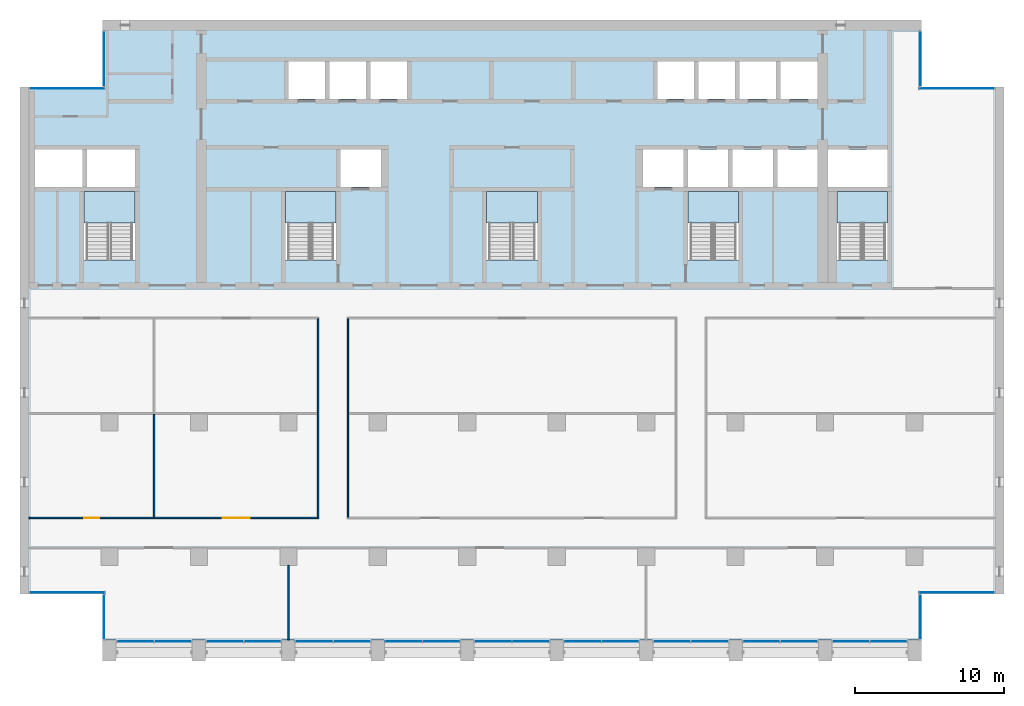
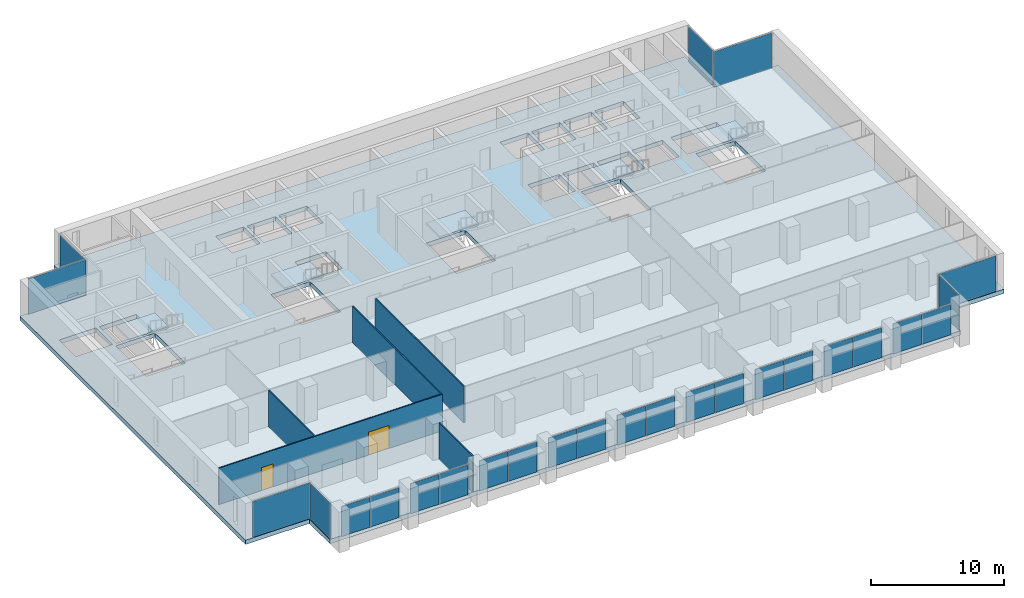
# One storey, part 7 of 16: 26 plates, 6 slabs, 5 walls, 2 doors, 2 openings, 22 elements without a shape of their own.
"""IFC4 building model written with IfcOpenShell, lengths in metres."""

from ifc_helpers import new_model, si_unit, direction, frame, frame_2d, origin, origin_2d, place, context, subcontext, project, spatial, polyline, rectangle, outline, extrude, material, layer, layer_set, type_object, element, fill, aggregate, save


model = new_model("IFC4")

# Units and contexts
model_context = context("Model", 3, precision=1e-05, world=origin(), true_north=direction((0.0, 1.0)))
body_context = subcontext(model_context, "Body", "Model", "MODEL_VIEW")
ifc_project = project(units=[si_unit("LENGTHUNIT", "METRE"), si_unit("AREAUNIT", "SQUARE_METRE"), si_unit("VOLUMEUNIT", "CUBIC_METRE"), si_unit("PLANEANGLEUNIT", "RADIAN"), si_unit("MASSUNIT", "GRAM", prefix="KILO")], contexts=[model_context])

# Site, building, storey
site_placement = place(None, origin())
site = spatial("IfcSite", under=ifc_project, at=site_placement, CompositionType="ELEMENT")
building_placement = place(site_placement, origin())
building = spatial("IfcBuilding", under=site, at=building_placement, Name="Calvaro Tower", CompositionType="ELEMENT")
storey_placement = place(building_placement, frame((0.0, 0.0, 181.75)))
storey = spatial("IfcBuildingStorey", under=building, at=storey_placement, Name="L45", CompositionType="ELEMENT", Elevation=181.75)

# Slab
ifc_material_1 = material(Name="Concrete C40/50", Category="concrete")
ifc_layer_1 = layer(ifc_material_1, 0.39990234375)
ifc_layer_set_1 = layer_set([ifc_layer_1], Name="Concrete C40/50")
slab_type_1 = type_object("IfcSlabType", Name="Floor slab 400 C40/50", PredefinedType="FLOOR", material=ifc_layer_set_1)
slab_1_placement = place(storey_placement, frame((0.0, 0.0, -0.39990234375)))
element("IfcSlab", 1, at=slab_1_placement, inside=storey, type_object=slab_type_1, Name="Floor slab", PredefinedType="FLOOR", context=body_context, shape_type="SweptSolid", body=[
    extrude(outline(polyline([(66.449951171875, 7.5), (66.449951171875, 4.39990234375), (11.550048828125, 4.39990234375), (11.550048828125, 7.5), (6.0, 7.5), (6.0, 41.5), (11.550048828125, 41.5), (11.550048828125, 46.0), (66.449951171875, 46.0), (66.449951171875, 41.5), (72.0, 41.5), (72.0, 7.5), (66.449951171875, 7.5)]), holes=[polyline([(10.300048828125, 29.909912109375), (10.300048828125, 34.5), (12.0, 34.5), (13.699951171875, 34.5), (13.699951171875, 29.909912109375), (12.0, 29.909912109375), (10.300048828125, 29.909912109375)]), polyline([(23.800048828125, 29.909912109375), (23.800048828125, 34.5), (25.5, 34.5), (27.199951171875, 34.5), (27.199951171875, 29.909912109375), (25.5, 29.909912109375), (23.800048828125, 29.909912109375)]), polyline([(37.300048828125, 29.909912109375), (37.300048828125, 34.5), (39.0, 34.5), (40.699951171875, 34.5), (40.699951171875, 29.909912109375), (39.0, 29.909912109375), (37.300048828125, 29.909912109375)]), polyline([(50.800048828125, 29.909912109375), (50.800048828125, 34.5), (52.5, 34.5), (54.199951171875, 34.5), (54.199951171875, 29.909912109375), (52.5, 29.909912109375), (50.800048828125, 29.909912109375)]), polyline([(60.800048828125, 29.909912109375), (60.800048828125, 34.5), (62.5, 34.5), (64.199951171875, 34.5), (64.199951171875, 29.909912109375), (62.5, 29.909912109375), (60.800048828125, 29.909912109375)]), polyline([(50.800048828125, 34.800048828125), (53.5, 34.800048828125), (53.5, 37.300048828125), (50.800048828125, 37.300048828125), (50.800048828125, 34.800048828125)]), polyline([(53.800048828125, 34.800048828125), (56.5, 34.800048828125), (56.5, 37.300048828125), (53.800048828125, 37.300048828125), (53.800048828125, 34.800048828125)]), polyline([(56.800048828125, 34.800048828125), (59.5, 34.800048828125), (59.5, 37.300048828125), (56.800048828125, 37.300048828125), (56.800048828125, 34.800048828125)]), polyline([(24.0, 40.699951171875), (26.449951171875, 40.699951171875), (26.449951171875, 43.199951171875), (24.0, 43.199951171875), (24.0, 40.699951171875)]), polyline([(26.75, 40.699951171875), (29.199951171875, 40.699951171875), (29.199951171875, 43.199951171875), (26.75, 43.199951171875), (26.75, 40.699951171875)]), polyline([(29.5, 40.699951171875), (31.949951171875, 40.699951171875), (31.949951171875, 43.199951171875), (29.5, 43.199951171875), (29.5, 40.699951171875)]), polyline([(48.75, 40.699951171875), (51.199951171875, 40.699951171875), (51.199951171875, 43.199951171875), (48.75, 43.199951171875), (48.75, 40.699951171875)]), polyline([(51.5, 40.699951171875), (53.949951171875, 40.699951171875), (53.949951171875, 43.199951171875), (51.5, 43.199951171875), (51.5, 40.699951171875)]), polyline([(54.25, 40.699951171875), (56.699951171875, 40.699951171875), (56.699951171875, 43.199951171875), (54.25, 43.199951171875), (54.25, 40.699951171875)]), polyline([(57.0, 40.699951171875), (59.5, 40.699951171875), (59.5, 43.199951171875), (57.0, 43.199951171875), (57.0, 40.699951171875)]), polyline([(7.0, 34.800048828125), (10.199951171875, 34.800048828125), (10.199951171875, 37.300048828125), (7.0, 37.300048828125), (7.0, 34.800048828125)]), polyline([(10.5, 34.800048828125), (13.699951171875, 34.800048828125), (13.699951171875, 37.300048828125), (10.5, 37.300048828125), (10.5, 34.800048828125)]), polyline([(60.199951171875, 34.800048828125), (64.199951171875, 34.800048828125), (64.199951171875, 37.300048828125), (60.199951171875, 37.300048828125), (60.199951171875, 34.800048828125)]), polyline([(27.5, 34.800048828125), (30.199951171875, 34.800048828125), (30.199951171875, 37.300048828125), (27.5, 37.300048828125), (27.5, 34.800048828125)]), polyline([(47.800048828125, 34.800048828125), (50.5, 34.800048828125), (50.5, 37.300048828125), (47.800048828125, 37.300048828125), (47.800048828125, 34.800048828125)])]), origin(), (0.0, 0.0, 1.0), 0.39990234375),
])

# Curtain wall, plates
ifc_material_2 = material(Name="Anodised aluminium", Category="aluminium")
curtain_wall_type = type_object("IfcCurtainWallType", Name="Office curtain wall, upper zone", PredefinedType="NOTDEFINED", material=ifc_material_2)
curtain_wall_1_placement = place(storey_placement, origin())
curtain_wall_1 = element("IfcCurtainWall", 2, at=curtain_wall_1_placement, inside=storey, type_object=curtain_wall_type, Name="CW3 south curtain wall", PredefinedType="NOTDEFINED")
ifc_material_3 = material(Name="Glass", Category="glass")
ifc_layer_2 = layer(ifc_material_3, 0.035888671875)
ifc_layer_set_2 = layer_set([ifc_layer_2], Name="Glass")
plate_type = type_object("IfcPlateType", Name="Glass panel S3 36", PredefinedType="CURTAIN_PANEL", material=ifc_layer_set_2)
plate_1_placement = place(storey_placement, frame((13.739990234375, 4.31005859375, 0.0), z_axis=(0.0, 0.0, 1.0), x_axis=(1.0, 0.0, 0.0)))
plate_1 = element("IfcPlate", 3, at=plate_1_placement, type_object=plate_type, Name="CW3 glass panel 1.1", PredefinedType="CURTAIN_PANEL", context=body_context, shape_type="SweptSolid", body=[
    extrude(rectangle(XDim=2.4599609375, YDim=0.035888671875, at=origin_2d()), origin(), (0.0, 0.0, 1.0), 2.75),
])
plate_2_placement = place(storey_placement, frame((16.260009765625, 4.31005859375, 0.0), z_axis=(0.0, 0.0, 1.0), x_axis=(1.0, 0.0, 0.0)))
plate_2 = element("IfcPlate", 4, at=plate_2_placement, type_object=plate_type, Name="CW3 glass panel 2.1", PredefinedType="CURTAIN_PANEL", context=body_context, shape_type="SweptSolid", body=[
    extrude(rectangle(XDim=2.4599609375, YDim=0.035888671875, at=origin_2d()), origin(), (0.0, 0.0, 1.0), 2.75),
])
aggregate(curtain_wall_1, [plate_1, plate_2])

curtain_wall_2_placement = place(storey_placement, origin())
curtain_wall_2 = element("IfcCurtainWall", 5, at=curtain_wall_2_placement, inside=storey, type_object=curtain_wall_type, Name="CW3 south curtain wall", PredefinedType="NOTDEFINED")
plate_3_placement = place(storey_placement, frame((19.739990234375, 4.31005859375, 0.0), z_axis=(0.0, 0.0, 1.0), x_axis=(1.0, 0.0, 0.0)))
plate_3 = element("IfcPlate", 6, at=plate_3_placement, type_object=plate_type, Name="CW3 glass panel 1.1", PredefinedType="CURTAIN_PANEL", context=body_context, shape_type="SweptSolid", body=[
    extrude(rectangle(XDim=2.4599609375, YDim=0.035888671875, at=origin_2d()), origin(), (0.0, 0.0, 1.0), 2.75),
])
plate_4_placement = place(storey_placement, frame((22.260009765625, 4.31005859375, 0.0), z_axis=(0.0, 0.0, 1.0), x_axis=(1.0, 0.0, 0.0)))
plate_4 = element("IfcPlate", 7, at=plate_4_placement, type_object=plate_type, Name="CW3 glass panel 2.1", PredefinedType="CURTAIN_PANEL", context=body_context, shape_type="SweptSolid", body=[
    extrude(rectangle(XDim=2.4599609375, YDim=0.035888671875, at=origin_2d()), origin(), (0.0, 0.0, 1.0), 2.75),
])
aggregate(curtain_wall_2, [plate_3, plate_4])

curtain_wall_3_placement = place(storey_placement, origin())
curtain_wall_3 = element("IfcCurtainWall", 8, at=curtain_wall_3_placement, inside=storey, type_object=curtain_wall_type, Name="CW3 south curtain wall", PredefinedType="NOTDEFINED")
plate_5_placement = place(storey_placement, frame((25.739990234375, 4.31005859375, 0.0), z_axis=(0.0, 0.0, 1.0), x_axis=(1.0, 0.0, 0.0)))
plate_5 = element("IfcPlate", 9, at=plate_5_placement, type_object=plate_type, Name="CW3 glass panel 1.1", PredefinedType="CURTAIN_PANEL", context=body_context, shape_type="SweptSolid", body=[
    extrude(rectangle(XDim=2.4599609375, YDim=0.035888671875, at=origin_2d()), origin(), (0.0, 0.0, 1.0), 2.75),
])
plate_6_placement = place(storey_placement, frame((28.260009765625, 4.31005859375, 0.0), z_axis=(0.0, 0.0, 1.0), x_axis=(1.0, 0.0, 0.0)))
plate_6 = element("IfcPlate", 10, at=plate_6_placement, type_object=plate_type, Name="CW3 glass panel 2.1", PredefinedType="CURTAIN_PANEL", context=body_context, shape_type="SweptSolid", body=[
    extrude(rectangle(XDim=2.4599609375, YDim=0.035888671875, at=origin_2d()), origin(), (0.0, 0.0, 1.0), 2.75),
])
aggregate(curtain_wall_3, [plate_5, plate_6])

curtain_wall_4_placement = place(storey_placement, origin())
curtain_wall_4 = element("IfcCurtainWall", 11, at=curtain_wall_4_placement, inside=storey, type_object=curtain_wall_type, Name="CW3 south curtain wall", PredefinedType="NOTDEFINED")
plate_7_placement = place(storey_placement, frame((31.739990234375, 4.31005859375, 0.0), z_axis=(0.0, 0.0, 1.0), x_axis=(1.0, 0.0, 0.0)))
plate_7 = element("IfcPlate", 12, at=plate_7_placement, type_object=plate_type, Name="CW3 glass panel 1.1", PredefinedType="CURTAIN_PANEL", context=body_context, shape_type="SweptSolid", body=[
    extrude(rectangle(XDim=2.4599609375, YDim=0.035888671875, at=origin_2d()), origin(), (0.0, 0.0, 1.0), 2.75),
])
plate_8_placement = place(storey_placement, frame((34.260009765625, 4.31005859375, 0.0), z_axis=(0.0, 0.0, 1.0), x_axis=(1.0, 0.0, 0.0)))
plate_8 = element("IfcPlate", 13, at=plate_8_placement, type_object=plate_type, Name="CW3 glass panel 2.1", PredefinedType="CURTAIN_PANEL", context=body_context, shape_type="SweptSolid", body=[
    extrude(rectangle(XDim=2.4599609375, YDim=0.035888671875, at=origin_2d()), origin(), (0.0, 0.0, 1.0), 2.75),
])
aggregate(curtain_wall_4, [plate_7, plate_8])

curtain_wall_5_placement = place(storey_placement, origin())
curtain_wall_5 = element("IfcCurtainWall", 14, at=curtain_wall_5_placement, inside=storey, type_object=curtain_wall_type, Name="CW3 south curtain wall", PredefinedType="NOTDEFINED")
plate_9_placement = place(storey_placement, frame((37.739990234375, 4.31005859375, 0.0), z_axis=(0.0, 0.0, 1.0), x_axis=(1.0, 0.0, 0.0)))
plate_9 = element("IfcPlate", 15, at=plate_9_placement, type_object=plate_type, Name="CW3 glass panel 1.1", PredefinedType="CURTAIN_PANEL", context=body_context, shape_type="SweptSolid", body=[
    extrude(rectangle(XDim=2.4599609375, YDim=0.035888671875, at=origin_2d()), origin(), (0.0, 0.0, 1.0), 2.75),
])
plate_10_placement = place(storey_placement, frame((40.260009765625, 4.31005859375, 0.0), z_axis=(0.0, 0.0, 1.0), x_axis=(1.0, 0.0, 0.0)))
plate_10 = element("IfcPlate", 16, at=plate_10_placement, type_object=plate_type, Name="CW3 glass panel 2.1", PredefinedType="CURTAIN_PANEL", context=body_context, shape_type="SweptSolid", body=[
    extrude(rectangle(XDim=2.4599609375, YDim=0.035888671875, at=origin_2d()), origin(), (0.0, 0.0, 1.0), 2.75),
])
aggregate(curtain_wall_5, [plate_9, plate_10])

curtain_wall_6_placement = place(storey_placement, origin())
curtain_wall_6 = element("IfcCurtainWall", 17, at=curtain_wall_6_placement, inside=storey, type_object=curtain_wall_type, Name="CW3 south curtain wall", PredefinedType="NOTDEFINED")
plate_11_placement = place(storey_placement, frame((43.739990234375, 4.31005859375, 0.0), z_axis=(0.0, 0.0, 1.0), x_axis=(1.0, 0.0, 0.0)))
plate_11 = element("IfcPlate", 18, at=plate_11_placement, type_object=plate_type, Name="CW3 glass panel 1.1", PredefinedType="CURTAIN_PANEL", context=body_context, shape_type="SweptSolid", body=[
    extrude(rectangle(XDim=2.4599609375, YDim=0.035888671875, at=origin_2d()), origin(), (0.0, 0.0, 1.0), 2.75),
])
plate_12_placement = place(storey_placement, frame((46.260009765625, 4.31005859375, 0.0), z_axis=(0.0, 0.0, 1.0), x_axis=(1.0, 0.0, 0.0)))
plate_12 = element("IfcPlate", 19, at=plate_12_placement, type_object=plate_type, Name="CW3 glass panel 2.1", PredefinedType="CURTAIN_PANEL", context=body_context, shape_type="SweptSolid", body=[
    extrude(rectangle(XDim=2.4599609375, YDim=0.035888671875, at=origin_2d()), origin(), (0.0, 0.0, 1.0), 2.75),
])
aggregate(curtain_wall_6, [plate_11, plate_12])

curtain_wall_7_placement = place(storey_placement, origin())
curtain_wall_7 = element("IfcCurtainWall", 20, at=curtain_wall_7_placement, inside=storey, type_object=curtain_wall_type, Name="CW3 south curtain wall", PredefinedType="NOTDEFINED")
plate_13_placement = place(storey_placement, frame((49.739990234375, 4.31005859375, 0.0), z_axis=(0.0, 0.0, 1.0), x_axis=(1.0, 0.0, 0.0)))
plate_13 = element("IfcPlate", 21, at=plate_13_placement, type_object=plate_type, Name="CW3 glass panel 1.1", PredefinedType="CURTAIN_PANEL", context=body_context, shape_type="SweptSolid", body=[
    extrude(rectangle(XDim=2.4599609375, YDim=0.035888671875, at=origin_2d()), origin(), (0.0, 0.0, 1.0), 2.75),
])
plate_14_placement = place(storey_placement, frame((52.260009765625, 4.31005859375, 0.0), z_axis=(0.0, 0.0, 1.0), x_axis=(1.0, 0.0, 0.0)))
plate_14 = element("IfcPlate", 22, at=plate_14_placement, type_object=plate_type, Name="CW3 glass panel 2.1", PredefinedType="CURTAIN_PANEL", context=body_context, shape_type="SweptSolid", body=[
    extrude(rectangle(XDim=2.4599609375, YDim=0.035888671875, at=origin_2d()), origin(), (0.0, 0.0, 1.0), 2.75),
])
aggregate(curtain_wall_7, [plate_13, plate_14])

curtain_wall_8_placement = place(storey_placement, origin())
curtain_wall_8 = element("IfcCurtainWall", 23, at=curtain_wall_8_placement, inside=storey, type_object=curtain_wall_type, Name="CW3 south curtain wall", PredefinedType="NOTDEFINED")
plate_15_placement = place(storey_placement, frame((55.739990234375, 4.31005859375, 0.0), z_axis=(0.0, 0.0, 1.0), x_axis=(1.0, 0.0, 0.0)))
plate_15 = element("IfcPlate", 24, at=plate_15_placement, type_object=plate_type, Name="CW3 glass panel 1.1", PredefinedType="CURTAIN_PANEL", context=body_context, shape_type="SweptSolid", body=[
    extrude(rectangle(XDim=2.4599609375, YDim=0.035888671875, at=origin_2d()), origin(), (0.0, 0.0, 1.0), 2.75),
])
plate_16_placement = place(storey_placement, frame((58.260009765625, 4.31005859375, 0.0), z_axis=(0.0, 0.0, 1.0), x_axis=(1.0, 0.0, 0.0)))
plate_16 = element("IfcPlate", 25, at=plate_16_placement, type_object=plate_type, Name="CW3 glass panel 2.1", PredefinedType="CURTAIN_PANEL", context=body_context, shape_type="SweptSolid", body=[
    extrude(rectangle(XDim=2.4599609375, YDim=0.035888671875, at=origin_2d()), origin(), (0.0, 0.0, 1.0), 2.75),
])
aggregate(curtain_wall_8, [plate_15, plate_16])

curtain_wall_9_placement = place(storey_placement, origin())
curtain_wall_9 = element("IfcCurtainWall", 26, at=curtain_wall_9_placement, inside=storey, type_object=curtain_wall_type, Name="CW3 south curtain wall", PredefinedType="NOTDEFINED")
plate_17_placement = place(storey_placement, frame((61.739990234375, 4.31005859375, 0.0), z_axis=(0.0, 0.0, 1.0), x_axis=(1.0, 0.0, 0.0)))
plate_17 = element("IfcPlate", 27, at=plate_17_placement, type_object=plate_type, Name="CW3 glass panel 1.1", PredefinedType="CURTAIN_PANEL", context=body_context, shape_type="SweptSolid", body=[
    extrude(rectangle(XDim=2.4599609375, YDim=0.035888671875, at=origin_2d()), origin(), (0.0, 0.0, 1.0), 2.75),
])
plate_18_placement = place(storey_placement, frame((64.260009765625, 4.31005859375, 0.0), z_axis=(0.0, 0.0, 1.0), x_axis=(1.0, 0.0, 0.0)))
plate_18 = element("IfcPlate", 28, at=plate_18_placement, type_object=plate_type, Name="CW3 glass panel 2.1", PredefinedType="CURTAIN_PANEL", context=body_context, shape_type="SweptSolid", body=[
    extrude(rectangle(XDim=2.4599609375, YDim=0.035888671875, at=origin_2d()), origin(), (0.0, 0.0, 1.0), 2.75),
])
aggregate(curtain_wall_9, [plate_17, plate_18])

# Curtain wall, plate
curtain_wall_10_placement = place(storey_placement, origin())
curtain_wall_10 = element("IfcCurtainWall", 29, at=curtain_wall_10_placement, inside=storey, type_object=curtain_wall_type, Name="CW3 corner curtain wall", PredefinedType="NOTDEFINED")
plate_19_placement = place(storey_placement, frame((11.639892578125, 5.949951171875, 0.0), z_axis=(0.0, 0.0, 1.0), x_axis=(0.0, 1.0, 0.0)))
plate_19 = element("IfcPlate", 30, at=plate_19_placement, type_object=plate_type, Name="CW3 glass panel 1.1", PredefinedType="CURTAIN_PANEL", context=body_context, shape_type="SweptSolid", body=[
    extrude(rectangle(XDim=2.97998046875, YDim=0.035888671875, at=origin_2d()), origin(), (0.0, 0.0, 1.0), 3.25),
])
aggregate(curtain_wall_10, [plate_19])

curtain_wall_11_placement = place(storey_placement, origin())
curtain_wall_11 = element("IfcCurtainWall", 31, at=curtain_wall_11_placement, inside=storey, type_object=curtain_wall_type, Name="CW3 corner curtain wall", PredefinedType="NOTDEFINED")
plate_20_placement = place(storey_placement, frame((9.1650390625, 7.590087890625, 0.0), z_axis=(0.0, 0.0, 1.0), x_axis=(1.0, 0.0, 0.0)))
plate_20 = element("IfcPlate", 32, at=plate_20_placement, type_object=plate_type, Name="CW3 glass panel 1.1", PredefinedType="CURTAIN_PANEL", context=body_context, shape_type="SweptSolid", body=[
    extrude(rectangle(XDim=5.010009765625, YDim=0.035888671875, at=origin_2d()), origin(), (0.0, 0.0, 1.0), 3.25),
])
aggregate(curtain_wall_11, [plate_20])

curtain_wall_12_placement = place(storey_placement, origin())
curtain_wall_12 = element("IfcCurtainWall", 33, at=curtain_wall_12_placement, inside=storey, type_object=curtain_wall_type, Name="CW3 corner curtain wall", PredefinedType="NOTDEFINED")
plate_21_placement = place(storey_placement, frame((11.639892578125, 43.39990234375, 0.0), z_axis=(0.0, 0.0, 1.0), x_axis=(0.0, 1.0, 0.0)))
plate_21 = element("IfcPlate", 34, at=plate_21_placement, type_object=plate_type, Name="CW3 glass panel 1.1", PredefinedType="CURTAIN_PANEL", context=body_context, shape_type="SweptSolid", body=[
    extrude(rectangle(XDim=3.679931640625, YDim=0.035888671875, at=origin_2d()), origin(), (0.0, 0.0, 1.0), 3.25),
])
aggregate(curtain_wall_12, [plate_21])

curtain_wall_13_placement = place(storey_placement, origin())
curtain_wall_13 = element("IfcCurtainWall", 35, at=curtain_wall_13_placement, inside=storey, type_object=curtain_wall_type, Name="CW3 corner curtain wall", PredefinedType="NOTDEFINED")
plate_22_placement = place(storey_placement, frame((9.1650390625, 41.409912109375, 0.0), z_axis=(0.0, 0.0, 1.0), x_axis=(1.0, 0.0, 0.0)))
plate_22 = element("IfcPlate", 36, at=plate_22_placement, type_object=plate_type, Name="CW3 glass panel 1.1", PredefinedType="CURTAIN_PANEL", context=body_context, shape_type="SweptSolid", body=[
    extrude(rectangle(XDim=5.010009765625, YDim=0.035888671875, at=origin_2d()), origin(), (0.0, 0.0, 1.0), 3.25),
])
aggregate(curtain_wall_13, [plate_22])

curtain_wall_14_placement = place(storey_placement, origin())
curtain_wall_14 = element("IfcCurtainWall", 37, at=curtain_wall_14_placement, inside=storey, type_object=curtain_wall_type, Name="CW3 corner curtain wall", PredefinedType="NOTDEFINED")
plate_23_placement = place(storey_placement, frame((66.360107421875, 5.949951171875, 0.0), z_axis=(0.0, 0.0, 1.0), x_axis=(0.0, 1.0, 0.0)))
plate_23 = element("IfcPlate", 38, at=plate_23_placement, type_object=plate_type, Name="CW3 glass panel 1.1", PredefinedType="CURTAIN_PANEL", context=body_context, shape_type="SweptSolid", body=[
    extrude(rectangle(XDim=2.97998046875, YDim=0.035888671875, at=origin_2d()), origin(), (0.0, 0.0, 1.0), 3.25),
])
aggregate(curtain_wall_14, [plate_23])

curtain_wall_15_placement = place(storey_placement, origin())
curtain_wall_15 = element("IfcCurtainWall", 39, at=curtain_wall_15_placement, inside=storey, type_object=curtain_wall_type, Name="CW3 corner curtain wall", PredefinedType="NOTDEFINED")
plate_24_placement = place(storey_placement, frame((68.8349609375, 7.590087890625, 0.0), z_axis=(0.0, 0.0, 1.0), x_axis=(1.0, 0.0, 0.0)))
plate_24 = element("IfcPlate", 40, at=plate_24_placement, type_object=plate_type, Name="CW3 glass panel 1.1", PredefinedType="CURTAIN_PANEL", context=body_context, shape_type="SweptSolid", body=[
    extrude(rectangle(XDim=5.010009765625, YDim=0.035888671875, at=origin_2d()), origin(), (0.0, 0.0, 1.0), 3.25),
])
aggregate(curtain_wall_15, [plate_24])

curtain_wall_16_placement = place(storey_placement, origin())
curtain_wall_16 = element("IfcCurtainWall", 41, at=curtain_wall_16_placement, inside=storey, type_object=curtain_wall_type, Name="CW3 corner curtain wall", PredefinedType="NOTDEFINED")
plate_25_placement = place(storey_placement, frame((66.360107421875, 43.39990234375, 0.0), z_axis=(0.0, 0.0, 1.0), x_axis=(0.0, 1.0, 0.0)))
plate_25 = element("IfcPlate", 42, at=plate_25_placement, type_object=plate_type, Name="CW3 glass panel 1.1", PredefinedType="CURTAIN_PANEL", context=body_context, shape_type="SweptSolid", body=[
    extrude(rectangle(XDim=3.679931640625, YDim=0.035888671875, at=origin_2d()), origin(), (0.0, 0.0, 1.0), 3.25),
])
aggregate(curtain_wall_16, [plate_25])

curtain_wall_17_placement = place(storey_placement, origin())
curtain_wall_17 = element("IfcCurtainWall", 43, at=curtain_wall_17_placement, inside=storey, type_object=curtain_wall_type, Name="CW3 corner curtain wall", PredefinedType="NOTDEFINED")
plate_26_placement = place(storey_placement, frame((68.8349609375, 41.409912109375, 0.0), z_axis=(0.0, 0.0, 1.0), x_axis=(1.0, 0.0, 0.0)))
plate_26 = element("IfcPlate", 44, at=plate_26_placement, type_object=plate_type, Name="CW3 glass panel 1.1", PredefinedType="CURTAIN_PANEL", context=body_context, shape_type="SweptSolid", body=[
    extrude(rectangle(XDim=5.010009765625, YDim=0.035888671875, at=origin_2d()), origin(), (0.0, 0.0, 1.0), 3.25),
])
aggregate(curtain_wall_17, [plate_26])

# Stair, slab
ifc_material_4 = material(Name="Concrete C40/50", Category="concrete")
stair_type = type_object("IfcStairType", Name="Exit stair 1400 2 flights", PredefinedType="HALF_TURN_STAIR", material=ifc_material_4)
stair_1_placement = place(storey_placement, origin())
stair_1 = element("IfcStair", 45, at=stair_1_placement, inside=storey, type_object=stair_type, Name="Exit stair S1", PredefinedType="HALF_TURN_STAIR")
ifc_material_5 = material(Name="Concrete C40/50", Category="concrete")
ifc_layer_3 = layer(ifc_material_5, 0.199951171875)
ifc_layer_set_3 = layer_set([ifc_layer_3], Name="Concrete C40/50")
slab_type_2 = type_object("IfcSlabType", Name="Stair landing", PredefinedType="LANDING", material=ifc_layer_set_3)
slab_2_placement = place(storey_placement, frame((0.0, 0.0, 1.675048828125)))
slab_2 = element("IfcSlab", 46, at=slab_2_placement, type_object=slab_type_2, Name="Exit stair 1, landing 1", PredefinedType="LANDING", context=body_context, shape_type="SweptSolid", body=[
    extrude(outline(polyline([(11.89990234375, 32.389892578125), (10.5, 32.389892578125), (10.5, 32.39990234375), (10.300048828125, 32.39990234375), (10.300048828125, 34.5), (10.5, 34.5), (11.89990234375, 34.5), (12.10009765625, 34.5), (13.5, 34.5), (13.699951171875, 34.5), (13.699951171875, 32.39990234375), (13.5, 32.39990234375), (13.5, 32.389892578125), (12.10009765625, 32.389892578125), (12.10009765625, 32.39990234375), (11.89990234375, 32.39990234375), (11.89990234375, 32.389892578125)])), origin(), (0.0, 0.0, 1.0), 0.199951171875),
])
aggregate(stair_1, [slab_2])

stair_2_placement = place(storey_placement, origin())
stair_2 = element("IfcStair", 47, at=stair_2_placement, inside=storey, type_object=stair_type, Name="Exit stair S2", PredefinedType="HALF_TURN_STAIR")
slab_3_placement = place(storey_placement, frame((0.0, 0.0, 1.675048828125)))
slab_3 = element("IfcSlab", 48, at=slab_3_placement, type_object=slab_type_2, Name="Exit stair 2, landing 1", PredefinedType="LANDING", context=body_context, shape_type="SweptSolid", body=[
    extrude(outline(polyline([(25.39990234375, 32.389892578125), (24.0, 32.389892578125), (24.0, 32.39990234375), (23.800048828125, 32.39990234375), (23.800048828125, 34.5), (24.0, 34.5), (25.39990234375, 34.5), (25.60009765625, 34.5), (27.0, 34.5), (27.199951171875, 34.5), (27.199951171875, 32.39990234375), (27.0, 32.39990234375), (27.0, 32.389892578125), (25.60009765625, 32.389892578125), (25.60009765625, 32.39990234375), (25.39990234375, 32.39990234375), (25.39990234375, 32.389892578125)])), origin(), (0.0, 0.0, 1.0), 0.199951171875),
])
aggregate(stair_2, [slab_3])

stair_3_placement = place(storey_placement, origin())
stair_3 = element("IfcStair", 49, at=stair_3_placement, inside=storey, type_object=stair_type, Name="Exit stair S3", PredefinedType="HALF_TURN_STAIR")
slab_4_placement = place(storey_placement, frame((0.0, 0.0, 1.675048828125)))
slab_4 = element("IfcSlab", 50, at=slab_4_placement, type_object=slab_type_2, Name="Exit stair 3, landing 1", PredefinedType="LANDING", context=body_context, shape_type="SweptSolid", body=[
    extrude(outline(polyline([(38.89990234375, 32.389892578125), (37.5, 32.389892578125), (37.5, 32.39990234375), (37.300048828125, 32.39990234375), (37.300048828125, 34.5), (37.5, 34.5), (38.89990234375, 34.5), (39.10009765625, 34.5), (40.5, 34.5), (40.699951171875, 34.5), (40.699951171875, 32.39990234375), (40.5, 32.39990234375), (40.5, 32.389892578125), (39.10009765625, 32.389892578125), (39.10009765625, 32.39990234375), (38.89990234375, 32.39990234375), (38.89990234375, 32.389892578125)])), origin(), (0.0, 0.0, 1.0), 0.199951171875),
])
aggregate(stair_3, [slab_4])

stair_4_placement = place(storey_placement, origin())
stair_4 = element("IfcStair", 51, at=stair_4_placement, inside=storey, type_object=stair_type, Name="Exit stair S4", PredefinedType="HALF_TURN_STAIR")
slab_5_placement = place(storey_placement, frame((0.0, 0.0, 1.675048828125)))
slab_5 = element("IfcSlab", 52, at=slab_5_placement, type_object=slab_type_2, Name="Exit stair 4, landing 1", PredefinedType="LANDING", context=body_context, shape_type="SweptSolid", body=[
    extrude(outline(polyline([(52.39990234375, 32.389892578125), (51.0, 32.389892578125), (51.0, 32.39990234375), (50.800048828125, 32.39990234375), (50.800048828125, 34.5), (51.0, 34.5), (52.39990234375, 34.5), (52.60009765625, 34.5), (54.0, 34.5), (54.199951171875, 34.5), (54.199951171875, 32.39990234375), (54.0, 32.39990234375), (54.0, 32.389892578125), (52.60009765625, 32.389892578125), (52.60009765625, 32.39990234375), (52.39990234375, 32.39990234375), (52.39990234375, 32.389892578125)])), origin(), (0.0, 0.0, 1.0), 0.199951171875),
])
aggregate(stair_4, [slab_5])

stair_5_placement = place(storey_placement, origin())
stair_5 = element("IfcStair", 53, at=stair_5_placement, inside=storey, type_object=stair_type, Name="Exit stair S5", PredefinedType="HALF_TURN_STAIR")
slab_6_placement = place(storey_placement, frame((0.0, 0.0, 1.675048828125)))
slab_6 = element("IfcSlab", 54, at=slab_6_placement, type_object=slab_type_2, Name="Exit stair 5, landing 1", PredefinedType="LANDING", context=body_context, shape_type="SweptSolid", body=[
    extrude(outline(polyline([(62.39990234375, 32.389892578125), (61.0, 32.389892578125), (61.0, 32.39990234375), (60.800048828125, 32.39990234375), (60.800048828125, 34.5), (61.0, 34.5), (62.39990234375, 34.5), (62.60009765625, 34.5), (64.0, 34.5), (64.199951171875, 34.5), (64.199951171875, 32.39990234375), (64.0, 32.39990234375), (64.0, 32.389892578125), (62.60009765625, 32.389892578125), (62.60009765625, 32.39990234375), (62.39990234375, 32.39990234375), (62.39990234375, 32.389892578125)])), origin(), (0.0, 0.0, 1.0), 0.199951171875),
])
aggregate(stair_5, [slab_6])

# Wall, openings, doors
ifc_material_6 = material(Name="Plasterboard on steel studs", Category="steel")
ifc_layer_4 = layer(ifc_material_6, 0.10009765625)
ifc_layer_set_4 = layer_set([ifc_layer_4], Name="Plasterboard on steel studs")
wall_type = type_object("IfcWallType", Name="Partition 100", PredefinedType="PARTITIONING", material=ifc_layer_set_4)
wall_1_placement = place(storey_placement, frame((6.60009765625, 12.60009765625, 0.0), z_axis=(0.0, 0.0, 1.0), x_axis=(1.0, 0.0, 0.0)))
wall_1 = element("IfcWall", 55, at=wall_1_placement, inside=storey, type_object=wall_type, Name="Partition T26.W002", PredefinedType="PARTITIONING", context=body_context, shape_type="SweptSolid", body=[
    extrude(rectangle(XDim=19.449951171875, YDim=0.10009765625, at=frame_2d((9.72509765625, 0.0))), origin(), (0.0, 0.0, 1.0), 3.35009765625),
])
opening_1_placement = place(wall_1_placement, frame((3.699951171875, 0.0, 0.0)))
opening_1 = element("IfcOpeningElement", 56, at=opening_1_placement, cuts=wall_1, Name="Opening T26.004", PredefinedType="OPENING", context=body_context, shape_type="SweptSolid", body=[
    extrude(rectangle(XDim=1.0, YDim=2.10009765625, at=frame_2d((0.5, 1.050048828125))), frame((0.0, 0.06005859375, 0.0), z_axis=(0.0, -1.0, 0.0), x_axis=(1.0, 0.0, 0.0)), (0.0, 0.0, 1.0), 0.1201171875),
])
opening_2_placement = place(wall_1_placement, frame((13.0, 0.0, 0.0)))
opening_2 = element("IfcOpeningElement", 57, at=opening_2_placement, cuts=wall_1, Name="Opening T26.005", PredefinedType="OPENING", context=body_context, shape_type="SweptSolid", body=[
    extrude(rectangle(XDim=1.800048828125, YDim=2.10009765625, at=frame_2d((0.89990234375, 1.050048828125))), frame((0.0, 0.06005859375, 0.0), z_axis=(0.0, -1.0, 0.0), x_axis=(1.0, 0.0, 0.0)), (0.0, 0.0, 1.0), 0.1201171875),
])
ifc_material_7 = material(Name="Timber", Category="wood")
door_type_1 = type_object("IfcDoorType", Name="Internal double door 1800 x 2100", OperationType="DOUBLE_DOOR_SINGLE_SWING", PredefinedType="DOOR", material=ifc_material_7)
door_1_placement = place(opening_2_placement, origin())
door_1 = element("IfcDoor", 58, at=door_1_placement, inside=storey, type_object=door_type_1, Name="Door T26.005", OperationType="DOUBLE_DOOR_SINGLE_SWING", OverallHeight=2.10009765625, OverallWidth=1.800048828125, PredefinedType="DOOR", context=body_context, shape_type="SweptSolid", body=[
    extrude(rectangle(XDim=1.800048828125, YDim=2.10009765625, at=frame_2d((0.89990234375, 1.050048828125))), frame((0.0, 0.02490234375, 0.0), z_axis=(0.0, -1.0, 0.0), x_axis=(1.0, 0.0, 0.0)), (0.0, 0.0, 1.0), 0.050048828125),
])
fill(opening_2, door_1)
ifc_material_8 = material(Name="Timber", Category="wood")
door_type_2 = type_object("IfcDoorType", Name="Internal single door 1000 x 2100", OperationType="SINGLE_SWING_LEFT", PredefinedType="DOOR", material=ifc_material_8)
door_2_placement = place(opening_1_placement, origin())
door_2 = element("IfcDoor", 59, at=door_2_placement, inside=storey, type_object=door_type_2, Name="Door T26.004", OperationType="SINGLE_SWING_LEFT", OverallHeight=2.10009765625, OverallWidth=1.0, PredefinedType="DOOR", context=body_context, shape_type="SweptSolid", body=[
    extrude(rectangle(XDim=1.0, YDim=2.10009765625, at=frame_2d((0.5, 1.050048828125))), frame((0.0, 0.02490234375, 0.0), z_axis=(0.0, -1.0, 0.0), x_axis=(1.0, 0.0, 0.0)), (0.0, 0.0, 1.0), 0.050048828125),
])
fill(opening_1, door_2)

# Walls
wall_2_placement = place(storey_placement, frame((15.0, 12.64990234375, 0.0), z_axis=(0.0, 0.0, 1.0), x_axis=(0.0, 1.0, 0.0)))
element("IfcWall", 60, at=wall_2_placement, inside=storey, type_object=wall_type, Name="Partition T26.W012", PredefinedType="PARTITIONING", context=body_context, shape_type="SweptSolid", body=[
    extrude(rectangle(XDim=6.900146484375, YDim=0.10009765625, at=frame_2d((3.4501953125, 0.0))), origin(), (0.0, 0.0, 1.0), 3.35009765625),
])
wall_3_placement = place(storey_placement, frame((24.0, 4.39990234375, 0.0), z_axis=(0.0, 0.0, 1.0), x_axis=(0.0, 1.0, 0.0)))
element("IfcWall", 61, at=wall_3_placement, inside=storey, type_object=wall_type, Name="Partition T26.W014", PredefinedType="PARTITIONING", context=body_context, shape_type="SweptSolid", body=[
    extrude(rectangle(XDim=5.025146484375, YDim=0.10009765625, at=frame_2d((2.5126953125, 0.0))), origin(), (0.0, 0.0, 1.0), 3.35009765625),
])
for number, where, z_axis, x_axis, name in (
    (62, (26.0, 12.64990234375, 0.0), (0.0, 0.0, 1.0), (0.0, 1.0, 0.0), "Partition T26.W015"),
    (63, (28.0, 12.64990234375, 0.0), (0.0, 0.0, 1.0), (0.0, 1.0, 0.0), "Partition T26.W016"),
):
    element("IfcWall", number, at=place(storey_placement, frame(where, z_axis=z_axis, x_axis=x_axis)), inside=storey, type_object=wall_type, Name=name, PredefinedType="PARTITIONING", context=body_context, shape_type="SweptSolid", body=[
        extrude(rectangle(XDim=13.300048828125, YDim=0.10009765625, at=frame_2d((6.64990234375, 0.0))), origin(), (0.0, 0.0, 1.0), 3.35009765625),
    ])

save(model, "model.ifc")
